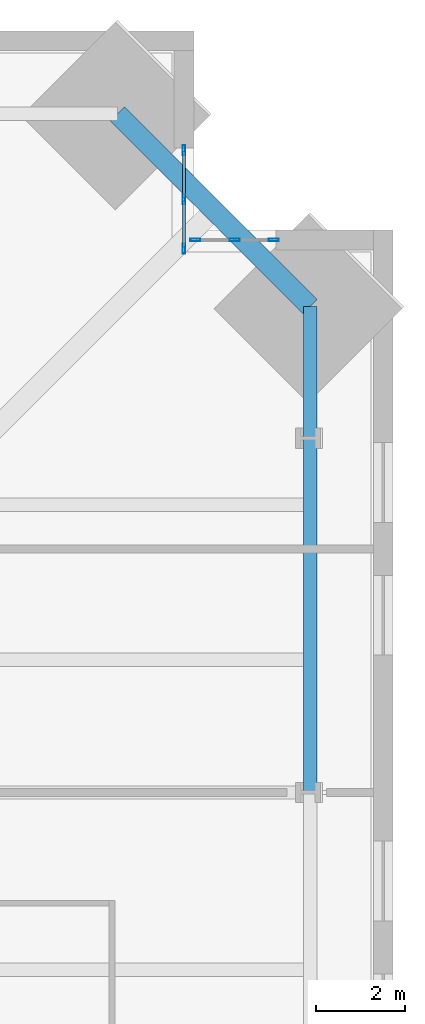
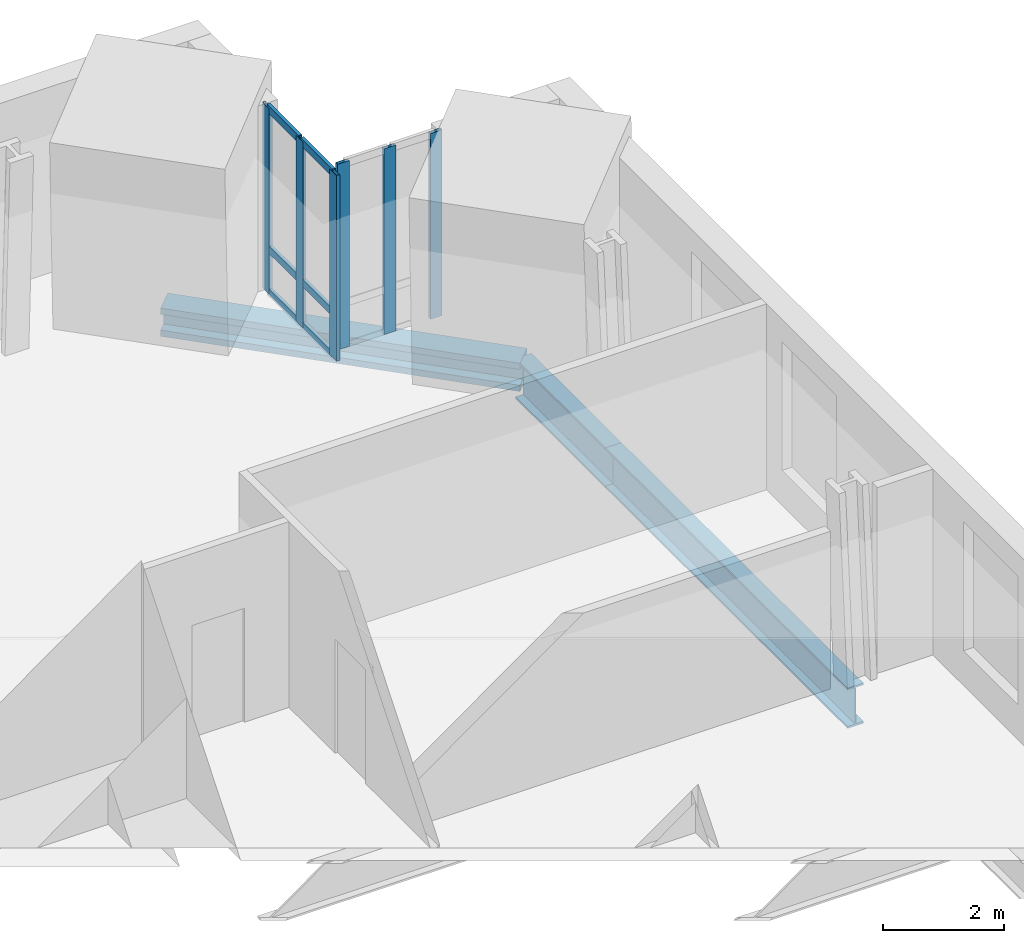
# One storey, part 8 of 15: 12 members, 3 beams, 2 elements without a shape of their own.
"""IFC4 building model written with IfcOpenShell, lengths in metres."""

from ifc_helpers import new_model, si_unit, direction, frame, origin, origin_2d, place, context, subcontext, project, spatial, hollow_rectangle, i_section, extrude, material, material_profile, profile_set, type_object, element, aggregate, save


model = new_model("IFC4")

# Units and contexts
model_context = context("Model", 3, precision=1e-05, world=origin(), true_north=direction((0.0, 1.0)))
body_context = subcontext(model_context, "Body", "Model", "MODEL_VIEW")
ifc_project = project(units=[si_unit("LENGTHUNIT", "METRE"), si_unit("AREAUNIT", "SQUARE_METRE"), si_unit("VOLUMEUNIT", "CUBIC_METRE"), si_unit("PLANEANGLEUNIT", "RADIAN"), si_unit("MASSUNIT", "GRAM", prefix="KILO")], contexts=[model_context])

# Site, building, storey
site_placement = place(None, origin())
site = spatial("IfcSite", under=ifc_project, at=site_placement, CompositionType="ELEMENT")
building_placement = place(site_placement, origin())
building = spatial("IfcBuilding", under=site, at=building_placement, Name="Peilmerk Tower", CompositionType="ELEMENT")
storey_placement = place(building_placement, frame((0.0, 0.0, 187.800048828125)))
storey = spatial("IfcBuildingStorey", under=building, at=storey_placement, Name="L40", CompositionType="ELEMENT", Elevation=187.800048828125)

# Beams
ifc_material_1 = material(Name="Steel S460", Category="steel")
ifc_material_profile_1 = material_profile(ifc_material_1, i_section(OverallWidth=0.4541015625, OverallDepth=0.569091796875, WebThickness=0.077880859375, FlangeThickness=0.125, at=origin_2d()), Name="HD 400x1086")
ifc_profile_set_1 = profile_set([ifc_material_profile_1], Name="Steel S460")
beam_type_1 = type_object("IfcBeamType", Name="B17 HD 400x1086 edge beam", PredefinedType="SPANDREL", material=ifc_profile_set_1)
beam_1_placement = place(storey_placement, frame((18.97412109375, 23.32421875, -0.45458984375), z_axis=(0.707106781187, -0.707106781187, 0.0), x_axis=(0.707106781187, 0.707106781187, 0.0)))
element("IfcBeam", 1, at=beam_1_placement, inside=storey, type_object=beam_type_1, Name="Notch beam L40", PredefinedType="SPANDREL", context=body_context, shape_type="SweptSolid", body=[
    extrude(i_section(OverallWidth=0.4541015625, OverallDepth=0.569091796875, WebThickness=0.077880859375, FlangeThickness=0.125, at=origin_2d()), origin(), (0.0, 0.0, 1.0), 6.15185546875),
])
ifc_material_profile_2 = material_profile(ifc_material_1, i_section(OverallWidth=0.302978515625, OverallDepth=0.81396484375, WebThickness=0.02099609375, FlangeThickness=0.0400390625, at=origin_2d()), Name="HEM 800")
ifc_profile_set_2 = profile_set([ifc_material_profile_2], Name="Steel S460")
beam_type_2 = type_object("IfcBeamType", Name="B35 HEM 800 edge beam", PredefinedType="SPANDREL", material=ifc_profile_set_2)
beam_2_placement = place(storey_placement, frame((23.32421875, 8.0, -0.5771484375), z_axis=(0.0, 1.0, 0.0), x_axis=(-1.0, 0.0, 0.0)))
element("IfcBeam", 2, at=beam_2_placement, inside=storey, type_object=beam_type_2, Name="Edge beam L40", PredefinedType="SPANDREL", context=body_context, shape_type="SweptSolid", body=[
    extrude(i_section(OverallWidth=0.302978515625, OverallDepth=0.81396484375, WebThickness=0.02099609375, FlangeThickness=0.0400390625, at=origin_2d()), origin(), (0.0, 0.0, 1.0), 8.0),
])
beam_3_placement = place(storey_placement, frame((23.32421875, 16.0, -0.5771484375), z_axis=(0.0, 1.0, 0.0), x_axis=(-1.0, 0.0, 0.0)))
element("IfcBeam", 3, at=beam_3_placement, inside=storey, type_object=beam_type_2, Name="Edge beam L40", PredefinedType="SPANDREL", context=body_context, shape_type="SweptSolid", body=[
    extrude(i_section(OverallWidth=0.302978515625, OverallDepth=0.81396484375, WebThickness=0.02099609375, FlangeThickness=0.0400390625, at=origin_2d()), origin(), (0.0, 0.0, 1.0), 2.97412109375),
])

# Curtain wall, members
ifc_material_2 = material(Name="Aluminium stick curtain wall", Category="aluminium")
curtain_wall_type = type_object("IfcCurtainWallType", Name="CW3 stick curtain wall, 2250 module", PredefinedType="NOTDEFINED", material=ifc_material_2)
curtain_wall_1_placement = place(storey_placement, origin())
curtain_wall_1 = element("IfcCurtainWall", 4, at=curtain_wall_1_placement, inside=storey, type_object=curtain_wall_type, Name="Curtain wall CW3 NEA L40", PredefinedType="NOTDEFINED")
ifc_material_3 = material(Name="Aluminium EN AW-6063 T6", Category="aluminium")
ifc_material_profile_3 = material_profile(ifc_material_3, hollow_rectangle(XDim=0.06494140625, YDim=0.22509765625, WallThickness=0.00390625, at=origin_2d()), Name="AL 225x65x4")
ifc_profile_set_3 = profile_set([ifc_material_profile_3], Name="Aluminium EN AW-6063 T6")
member_type_1 = type_object("IfcMemberType", Name="CW3-M AL 225x65x4 mullion", PredefinedType="MULLION", material=ifc_profile_set_3)
member_1_placement = place(storey_placement, frame((20.47509765625, 20.282470703125, 0.0), z_axis=(0.0, 0.0, 1.0), x_axis=(-1.0, 0.0, 0.0)))
member_1 = element("IfcMember", 5, at=member_1_placement, type_object=member_type_1, Name="CW3 mullion 1", PredefinedType="MULLION", context=body_context, shape_type="SweptSolid", body=[
    extrude(hollow_rectangle(XDim=0.06494140625, YDim=0.22509765625, WallThickness=0.00390625, at=origin_2d()), origin(), (0.0, 0.0, 1.0), 3.75),
])
member_2_placement = place(storey_placement, frame((20.47509765625, 21.394287109375, 0.0), z_axis=(0.0, 0.0, 1.0), x_axis=(-1.0, 0.0, 0.0)))
member_2 = element("IfcMember", 6, at=member_2_placement, type_object=member_type_1, Name="CW3 mullion 2", PredefinedType="MULLION", context=body_context, shape_type="SweptSolid", body=[
    extrude(hollow_rectangle(XDim=0.06494140625, YDim=0.22509765625, WallThickness=0.00390625, at=origin_2d()), origin(), (0.0, 0.0, 1.0), 3.75),
])
member_3_placement = place(storey_placement, frame((20.47509765625, 22.506103515625, 0.0), z_axis=(0.0, 0.0, 1.0), x_axis=(-1.0, 0.0, 0.0)))
member_3 = element("IfcMember", 7, at=member_3_placement, type_object=member_type_1, Name="CW3 mullion 3", PredefinedType="MULLION", context=body_context, shape_type="SweptSolid", body=[
    extrude(hollow_rectangle(XDim=0.06494140625, YDim=0.22509765625, WallThickness=0.00390625, at=origin_2d()), origin(), (0.0, 0.0, 1.0), 3.75),
])

curtain_wall_2_placement = place(storey_placement, origin())
curtain_wall_2 = element("IfcCurtainWall", 8, at=curtain_wall_2_placement, inside=storey, type_object=curtain_wall_type, Name="Curtain wall CW3 NEB L40", PredefinedType="NOTDEFINED")
member_4_placement = place(storey_placement, frame((20.732421875, 20.47509765625, 0.0), z_axis=(0.0, 0.0, 1.0), x_axis=(0.0, 1.0, 0.0)))
member_4 = element("IfcMember", 9, at=member_4_placement, type_object=member_type_1, Name="CW3 mullion 1", PredefinedType="MULLION", context=body_context, shape_type="SweptSolid", body=[
    extrude(hollow_rectangle(XDim=0.06494140625, YDim=0.22509765625, WallThickness=0.00390625, at=origin_2d()), origin(), (0.0, 0.0, 1.0), 3.75),
])
member_5_placement = place(storey_placement, frame((21.619384765625, 20.47509765625, 0.0), z_axis=(0.0, 0.0, 1.0), x_axis=(0.0, 1.0, 0.0)))
member_5 = element("IfcMember", 10, at=member_5_placement, type_object=member_type_1, Name="CW3 mullion 2", PredefinedType="MULLION", context=body_context, shape_type="SweptSolid", body=[
    extrude(hollow_rectangle(XDim=0.06494140625, YDim=0.22509765625, WallThickness=0.00390625, at=origin_2d()), origin(), (0.0, 0.0, 1.0), 3.75),
])
member_6_placement = place(storey_placement, frame((22.506103515625, 20.47509765625, 0.0), z_axis=(0.0, 0.0, 1.0), x_axis=(0.0, 1.0, 0.0)))
member_6 = element("IfcMember", 11, at=member_6_placement, type_object=member_type_1, Name="CW3 mullion 3", PredefinedType="MULLION", context=body_context, shape_type="SweptSolid", body=[
    extrude(hollow_rectangle(XDim=0.06494140625, YDim=0.22509765625, WallThickness=0.00390625, at=origin_2d()), origin(), (0.0, 0.0, 1.0), 3.75),
])
aggregate(curtain_wall_2, [member_4, member_5, member_6])

# Member
ifc_material_profile_4 = material_profile(ifc_material_3, hollow_rectangle(XDim=0.06494140625, YDim=0.14990234375, WallThickness=0.0029296875, at=origin_2d()), Name="AL 150x65x3")
ifc_profile_set_4 = profile_set([ifc_material_profile_4], Name="Aluminium EN AW-6063 T6")
member_type_2 = type_object("IfcMemberType", Name="CW3-T AL 150x65x3 transom", PredefinedType="USERDEFINED", material=ifc_profile_set_4)
member_7_placement = place(storey_placement, frame((20.47509765625, 20.31494140625, 0.032470703125), z_axis=(0.0, 1.0, 0.0), x_axis=(-1.0, 0.0, 0.0)))
member_7 = element("IfcMember", 12, at=member_7_placement, type_object=member_type_2, Name="CW3 transom 1.1", ObjectType="TRANSOM", PredefinedType="USERDEFINED", context=body_context, shape_type="SweptSolid", body=[
    extrude(hollow_rectangle(XDim=0.06494140625, YDim=0.14990234375, WallThickness=0.0029296875, at=origin_2d()), origin(), (0.0, 0.0, 1.0), 1.046875),
])

member_8_placement = place(storey_placement, frame((20.47509765625, 20.31494140625, 0.89990234375), z_axis=(0.0, 1.0, 0.0), x_axis=(-1.0, 0.0, 0.0)))
member_8 = element("IfcMember", 13, at=member_8_placement, type_object=member_type_2, Name="CW3 transom 1.2", ObjectType="TRANSOM", PredefinedType="USERDEFINED", context=body_context, shape_type="SweptSolid", body=[
    extrude(hollow_rectangle(XDim=0.06494140625, YDim=0.14990234375, WallThickness=0.0029296875, at=origin_2d()), origin(), (0.0, 0.0, 1.0), 1.046875),
])

member_9_placement = place(storey_placement, frame((20.47509765625, 20.31494140625, 3.717529296875), z_axis=(0.0, 1.0, 0.0), x_axis=(-1.0, 0.0, 0.0)))
member_9 = element("IfcMember", 14, at=member_9_placement, type_object=member_type_2, Name="CW3 transom 1.3", ObjectType="TRANSOM", PredefinedType="USERDEFINED", context=body_context, shape_type="SweptSolid", body=[
    extrude(hollow_rectangle(XDim=0.06494140625, YDim=0.14990234375, WallThickness=0.0029296875, at=origin_2d()), origin(), (0.0, 0.0, 1.0), 1.046875),
])

member_10_placement = place(storey_placement, frame((20.47509765625, 21.4267578125, 0.032470703125), z_axis=(0.0, 1.0, 0.0), x_axis=(-1.0, 0.0, 0.0)))
member_10 = element("IfcMember", 15, at=member_10_placement, type_object=member_type_2, Name="CW3 transom 2.1", ObjectType="TRANSOM", PredefinedType="USERDEFINED", context=body_context, shape_type="SweptSolid", body=[
    extrude(hollow_rectangle(XDim=0.06494140625, YDim=0.14990234375, WallThickness=0.0029296875, at=origin_2d()), origin(), (0.0, 0.0, 1.0), 1.046875),
])

member_11_placement = place(storey_placement, frame((20.47509765625, 21.4267578125, 0.89990234375), z_axis=(0.0, 1.0, 0.0), x_axis=(-1.0, 0.0, 0.0)))
member_11 = element("IfcMember", 16, at=member_11_placement, type_object=member_type_2, Name="CW3 transom 2.2", ObjectType="TRANSOM", PredefinedType="USERDEFINED", context=body_context, shape_type="SweptSolid", body=[
    extrude(hollow_rectangle(XDim=0.06494140625, YDim=0.14990234375, WallThickness=0.0029296875, at=origin_2d()), origin(), (0.0, 0.0, 1.0), 1.046875),
])

member_12_placement = place(storey_placement, frame((20.47509765625, 21.4267578125, 3.717529296875), z_axis=(0.0, 1.0, 0.0), x_axis=(-1.0, 0.0, 0.0)))
member_12 = element("IfcMember", 17, at=member_12_placement, type_object=member_type_2, Name="CW3 transom 2.3", ObjectType="TRANSOM", PredefinedType="USERDEFINED", context=body_context, shape_type="SweptSolid", body=[
    extrude(hollow_rectangle(XDim=0.06494140625, YDim=0.14990234375, WallThickness=0.0029296875, at=origin_2d()), origin(), (0.0, 0.0, 1.0), 1.046875),
])

aggregate(curtain_wall_1, [member_1, member_2, member_3, member_7, member_8, member_9, member_10, member_11, member_12])

save(model, "model.ifc")
